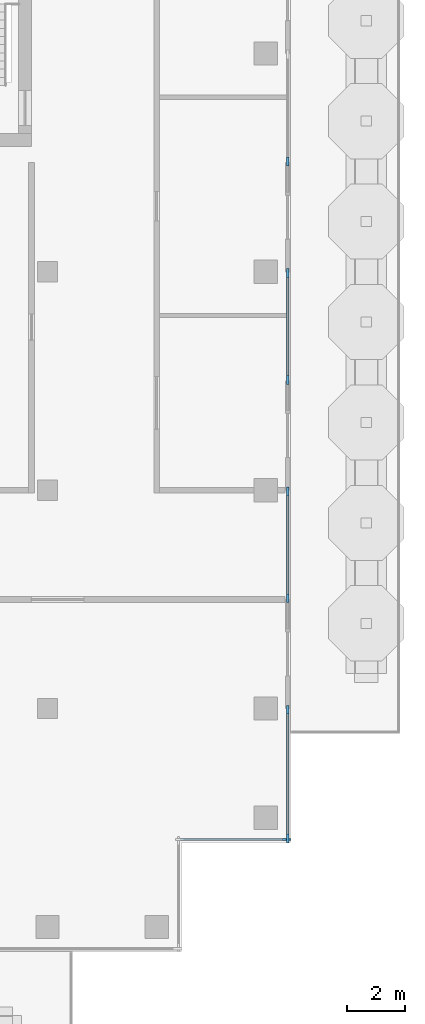
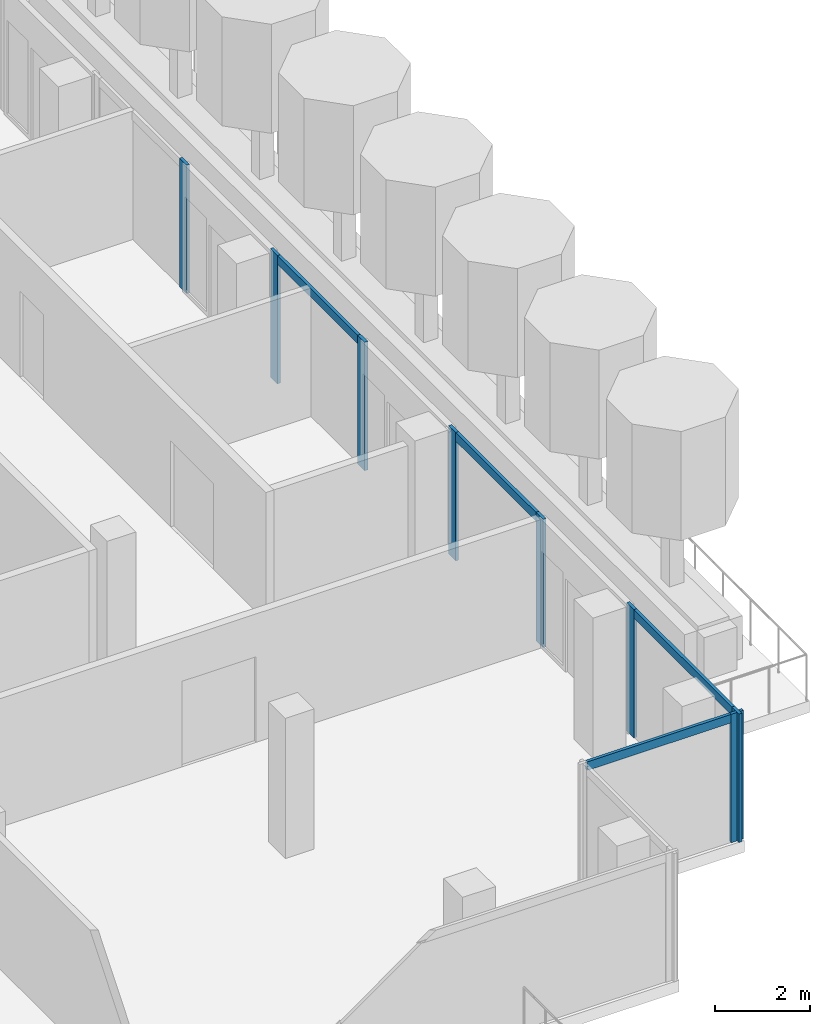
# One storey, part 3 of 12: 12 members, 5 elements without a shape of their own.
"""IFC4 building model written with IfcOpenShell, lengths in metres."""

from ifc_helpers import new_model, si_unit, direction, frame, origin, origin_2d, place, context, subcontext, project, spatial, rectangle, extrude, material, material_profile, profile_set, type_object, element, aggregate, save


model = new_model("IFC4")

# Units and contexts
model_context = context("Model", 3, precision=1e-05, world=origin(), true_north=direction((0.0, 1.0)))
body_context = subcontext(model_context, "Body", "Model", "MODEL_VIEW")
ifc_project = project(units=[si_unit("LENGTHUNIT", "METRE"), si_unit("AREAUNIT", "SQUARE_METRE"), si_unit("VOLUMEUNIT", "CUBIC_METRE"), si_unit("PLANEANGLEUNIT", "RADIAN"), si_unit("MASSUNIT", "GRAM", prefix="KILO")], contexts=[model_context])

# Site, building, storey
site_placement = place(None, origin())
site = spatial("IfcSite", under=ifc_project, at=site_placement, CompositionType="ELEMENT")
building_placement = place(site_placement, origin())
building = spatial("IfcBuilding", under=site, at=building_placement, Name="Pilkhan Gate Tower", CompositionType="ELEMENT")
storey_placement = place(building_placement, frame((0.0, 0.0, 258.5)))
storey = spatial("IfcBuildingStorey", under=building, at=storey_placement, Name="L67", CompositionType="ELEMENT", Elevation=258.5)

# Curtain wall, members
ifc_material_1 = material(Name="Pale anodised aluminium, clear low-iron double glazing", Category="aluminium")
curtain_wall_type = type_object("IfcCurtainWallType", Name="Crown unitised curtain wall CW-C", PredefinedType="USERDEFINED", material=ifc_material_1)
curtain_wall_1_placement = place(storey_placement, origin())
curtain_wall_1 = element("IfcCurtainWall", 1, at=curtain_wall_1_placement, inside=storey, type_object=curtain_wall_type, Name="Crown unitised curtain wall CW-C L67 E", ObjectType="UNITISED CURTAIN WALL", PredefinedType="USERDEFINED")
ifc_material_2 = material(Name="Pale anodised aluminium", Category="aluminium")
ifc_material_profile_1 = material_profile(ifc_material_2, rectangle(XDim=0.074951171875, YDim=0.300048828125, at=origin_2d()), Name="Mullion 300x75")
ifc_profile_set_1 = profile_set([ifc_material_profile_1], Name="Pale anodised aluminium")
member_type_1 = type_object("IfcMemberType", Name="Mullion CW-C 300x75", PredefinedType="MULLION", material=ifc_profile_set_1)
member_1_placement = place(storey_placement, frame((98.25, 48.03759765625, 0.0), z_axis=(0.0, 0.0, 1.0), x_axis=(-1.0, 0.0, 0.0)))
member_1 = element("IfcMember", 2, at=member_1_placement, type_object=member_type_1, Name="CW-C mullion 1", PredefinedType="MULLION", context=body_context, shape_type="SweptSolid", body=[
    extrude(rectangle(XDim=0.074951171875, YDim=0.300048828125, at=origin_2d()), origin(), (0.0, 0.0, 1.0), 3.300048828125),
])
member_2_placement = place(storey_placement, frame((98.25, 52.46240234375, 0.0), z_axis=(0.0, 0.0, 1.0), x_axis=(-1.0, 0.0, 0.0)))
member_2 = element("IfcMember", 3, at=member_2_placement, type_object=member_type_1, Name="CW-C mullion 2", PredefinedType="MULLION", context=body_context, shape_type="SweptSolid", body=[
    extrude(rectangle(XDim=0.074951171875, YDim=0.300048828125, at=origin_2d()), origin(), (0.0, 0.0, 1.0), 3.300048828125),
])

curtain_wall_2_placement = place(storey_placement, origin())
curtain_wall_2 = element("IfcCurtainWall", 4, at=curtain_wall_2_placement, inside=storey, type_object=curtain_wall_type, Name="Crown unitised curtain wall CW-C L67 E", ObjectType="UNITISED CURTAIN WALL", PredefinedType="USERDEFINED")
member_3_placement = place(storey_placement, frame((98.25, 56.28759765625, 0.0), z_axis=(0.0, 0.0, 1.0), x_axis=(-1.0, 0.0, 0.0)))
member_3 = element("IfcMember", 5, at=member_3_placement, type_object=member_type_1, Name="CW-C mullion 1", PredefinedType="MULLION", context=body_context, shape_type="SweptSolid", body=[
    extrude(rectangle(XDim=0.074951171875, YDim=0.300048828125, at=origin_2d()), origin(), (0.0, 0.0, 1.0), 3.300048828125),
])
member_4_placement = place(storey_placement, frame((98.25, 59.96240234375, 0.0), z_axis=(0.0, 0.0, 1.0), x_axis=(-1.0, 0.0, 0.0)))
member_4 = element("IfcMember", 6, at=member_4_placement, type_object=member_type_1, Name="CW-C mullion 2", PredefinedType="MULLION", context=body_context, shape_type="SweptSolid", body=[
    extrude(rectangle(XDim=0.074951171875, YDim=0.300048828125, at=origin_2d()), origin(), (0.0, 0.0, 1.0), 3.300048828125),
])

curtain_wall_3_placement = place(storey_placement, origin())
curtain_wall_3 = element("IfcCurtainWall", 7, at=curtain_wall_3_placement, inside=storey, type_object=curtain_wall_type, Name="Crown unitised curtain wall CW-C L67 E", ObjectType="UNITISED CURTAIN WALL", PredefinedType="USERDEFINED")
member_5_placement = place(storey_placement, frame((98.25, 63.78759765625, 0.0), z_axis=(0.0, 0.0, 1.0), x_axis=(-1.0, 0.0, 0.0)))
member_5 = element("IfcMember", 8, at=member_5_placement, type_object=member_type_1, Name="CW-C mullion 1", PredefinedType="MULLION", context=body_context, shape_type="SweptSolid", body=[
    extrude(rectangle(XDim=0.074951171875, YDim=0.300048828125, at=origin_2d()), origin(), (0.0, 0.0, 1.0), 3.300048828125),
])
member_6_placement = place(storey_placement, frame((98.25, 67.46240234375, 0.0), z_axis=(0.0, 0.0, 1.0), x_axis=(-1.0, 0.0, 0.0)))
member_6 = element("IfcMember", 9, at=member_6_placement, type_object=member_type_1, Name="CW-C mullion 2", PredefinedType="MULLION", context=body_context, shape_type="SweptSolid", body=[
    extrude(rectangle(XDim=0.074951171875, YDim=0.300048828125, at=origin_2d()), origin(), (0.0, 0.0, 1.0), 3.300048828125),
])

# Curtain wall, member
curtain_wall_4_placement = place(storey_placement, origin())
curtain_wall_4 = element("IfcCurtainWall", 10, at=curtain_wall_4_placement, inside=storey, type_object=curtain_wall_type, Name="Crown unitised curtain wall CW-C L67 E", ObjectType="UNITISED CURTAIN WALL", PredefinedType="USERDEFINED")
member_7_placement = place(storey_placement, frame((98.25, 71.28759765625, 0.0), z_axis=(0.0, 0.0, 1.0), x_axis=(-1.0, 0.0, 0.0)))
member_7 = element("IfcMember", 11, at=member_7_placement, type_object=member_type_1, Name="CW-C mullion 1", PredefinedType="MULLION", context=body_context, shape_type="SweptSolid", body=[
    extrude(rectangle(XDim=0.074951171875, YDim=0.300048828125, at=origin_2d()), origin(), (0.0, 0.0, 1.0), 3.300048828125),
])
aggregate(curtain_wall_4, [member_7])

curtain_wall_5_placement = place(storey_placement, origin())
curtain_wall_5 = element("IfcCurtainWall", 12, at=curtain_wall_5_placement, inside=storey, type_object=curtain_wall_type, Name="Crown unitised curtain wall CW-C L67 S", ObjectType="UNITISED CURTAIN WALL", PredefinedType="USERDEFINED")
member_8_placement = place(storey_placement, frame((98.21240234375, 48.0, 0.0), z_axis=(0.0, 0.0, 1.0), x_axis=(0.0, 1.0, 0.0)))
member_8 = element("IfcMember", 13, at=member_8_placement, type_object=member_type_1, Name="CW-C mullion 2", PredefinedType="MULLION", context=body_context, shape_type="SweptSolid", body=[
    extrude(rectangle(XDim=0.074951171875, YDim=0.300048828125, at=origin_2d()), origin(), (0.0, 0.0, 1.0), 3.300048828125),
])

# Member
ifc_material_profile_2 = material_profile(ifc_material_2, rectangle(XDim=0.074951171875, YDim=0.219970703125, at=origin_2d()), Name="Transom 220x75")
ifc_profile_set_2 = profile_set([ifc_material_profile_2], Name="Pale anodised aluminium")
member_type_2 = type_object("IfcMemberType", Name="Transom CW-C 220x75", PredefinedType="USERDEFINED", material=ifc_profile_set_2)
member_9_placement = place(storey_placement, frame((98.25, 48.074951171875, 3.18994140625), z_axis=(0.0, 1.0, 0.0), x_axis=(-1.0, 0.0, 0.0)))
member_9 = element("IfcMember", 14, at=member_9_placement, type_object=member_type_2, Name="CW-C transom 1", ObjectType="TRANSOM", PredefinedType="USERDEFINED", context=body_context, shape_type="SweptSolid", body=[
    extrude(rectangle(XDim=0.074951171875, YDim=0.219970703125, at=origin_2d()), origin(), (0.0, 0.0, 1.0), 4.35009765625),
])

aggregate(curtain_wall_1, [member_1, member_2, member_9])

member_10_placement = place(storey_placement, frame((98.25, 56.324951171875, 3.18994140625), z_axis=(0.0, 1.0, 0.0), x_axis=(-1.0, 0.0, 0.0)))
member_10 = element("IfcMember", 15, at=member_10_placement, type_object=member_type_2, Name="CW-C transom 1", ObjectType="TRANSOM", PredefinedType="USERDEFINED", context=body_context, shape_type="SweptSolid", body=[
    extrude(rectangle(XDim=0.074951171875, YDim=0.219970703125, at=origin_2d()), origin(), (0.0, 0.0, 1.0), 3.60009765625),
])

aggregate(curtain_wall_2, [member_3, member_4, member_10])

member_11_placement = place(storey_placement, frame((98.25, 63.824951171875, 3.18994140625), z_axis=(0.0, 1.0, 0.0), x_axis=(-1.0, 0.0, 0.0)))
member_11 = element("IfcMember", 16, at=member_11_placement, type_object=member_type_2, Name="CW-C transom 1", ObjectType="TRANSOM", PredefinedType="USERDEFINED", context=body_context, shape_type="SweptSolid", body=[
    extrude(rectangle(XDim=0.074951171875, YDim=0.219970703125, at=origin_2d()), origin(), (0.0, 0.0, 1.0), 3.60009765625),
])

aggregate(curtain_wall_3, [member_5, member_6, member_11])

member_12_placement = place(storey_placement, frame((94.574951171875, 48.0, 3.18994140625), z_axis=(1.0, 0.0, 0.0), x_axis=(0.0, 1.0, 0.0)))
member_12 = element("IfcMember", 17, at=member_12_placement, type_object=member_type_2, Name="CW-C transom 1", ObjectType="TRANSOM", PredefinedType="USERDEFINED", context=body_context, shape_type="SweptSolid", body=[
    extrude(rectangle(XDim=0.074951171875, YDim=0.219970703125, at=origin_2d()), origin(), (0.0, 0.0, 1.0), 3.60009765625),
])

aggregate(curtain_wall_5, [member_8, member_12])

save(model, "model.ifc")
